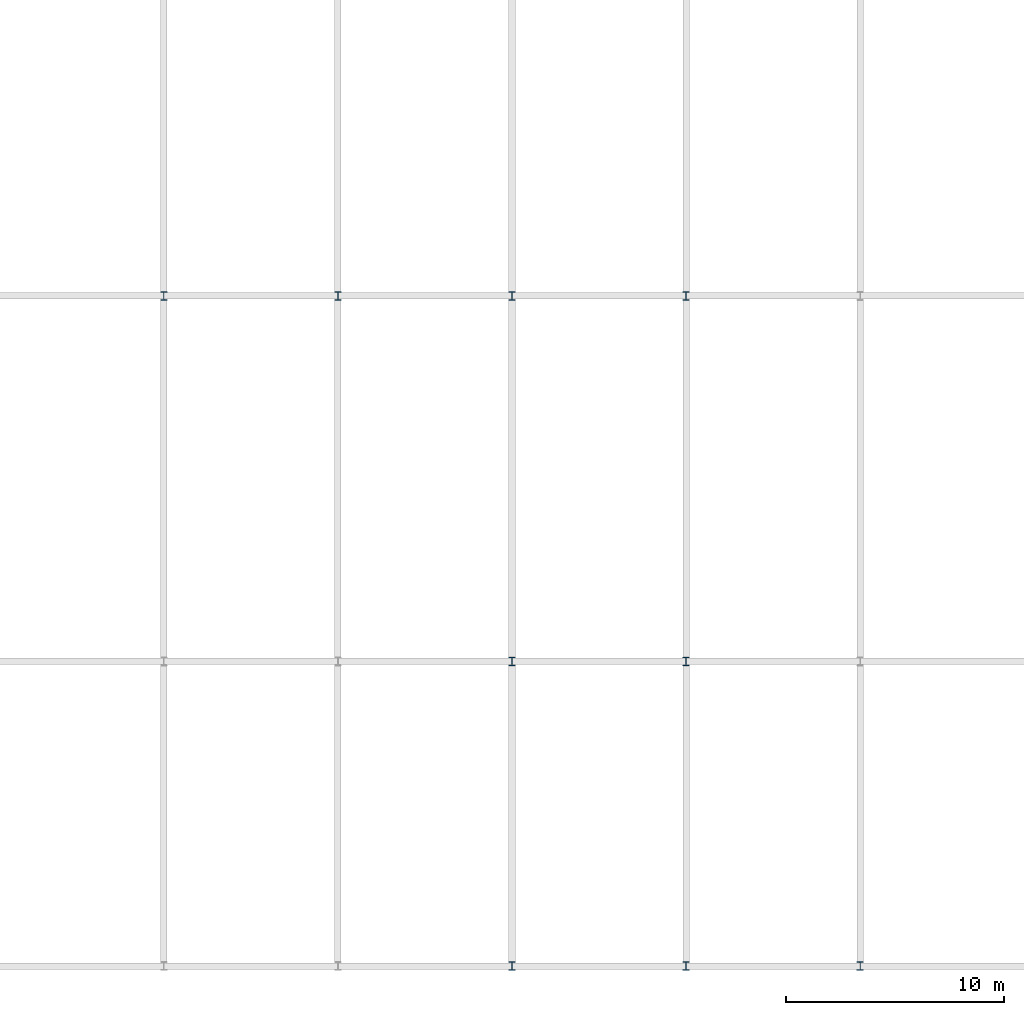
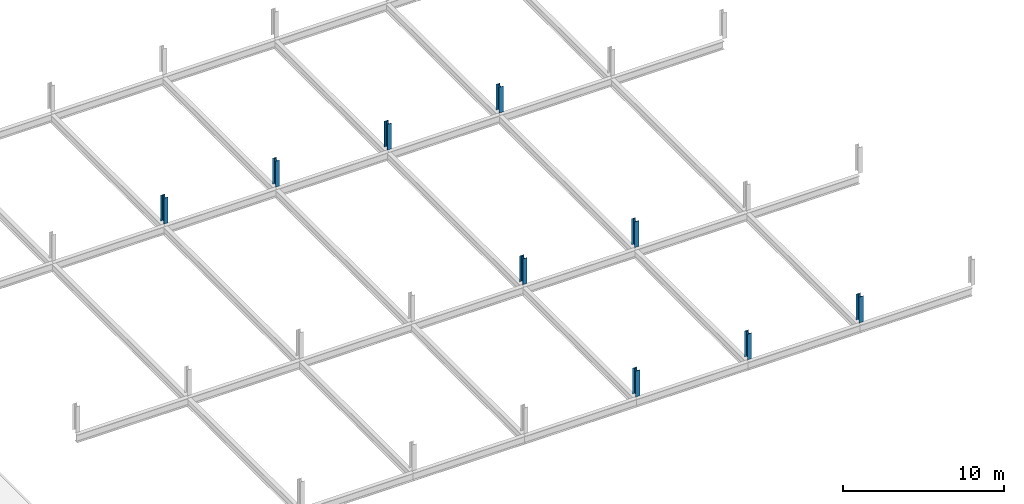
# One storey, part 2 of 25: 9 columns.
"""IFC4 building model written with IfcOpenShell, lengths in metres."""

from ifc_helpers import new_model, si_unit, direction, frame, origin, origin_2d, place, context, subcontext, project, spatial, i_section, extrude, material, material_profile, profile_set, type_object, element, save


model = new_model("IFC4")

# Units and contexts
model_context = context("Model", 3, precision=1e-05, world=origin(), true_north=direction((0.0, 1.0)))
body_context = subcontext(model_context, "Body", "Model", "MODEL_VIEW")
ifc_project = project(units=[si_unit("LENGTHUNIT", "METRE"), si_unit("AREAUNIT", "SQUARE_METRE"), si_unit("VOLUMEUNIT", "CUBIC_METRE"), si_unit("PLANEANGLEUNIT", "RADIAN"), si_unit("MASSUNIT", "GRAM", prefix="KILO")], contexts=[model_context])

# Site, building, storey
site_placement = place(None, origin())
site = spatial("IfcSite", under=ifc_project, at=site_placement, CompositionType="ELEMENT")
building_placement = place(site_placement, origin())
building = spatial("IfcBuilding", under=site, at=building_placement, Name="Vekula Escarpment Museum", CompositionType="ELEMENT")
storey_placement = place(building_placement, frame((0.0, 0.0, 26.39990234375)))
storey = spatial("IfcBuildingStorey", under=building, at=storey_placement, Name="L06", CompositionType="ELEMENT", Elevation=26.39990234375)

# Columns
ifc_material = material(Name="Steel S355", Category="steel")
ifc_material_profile = material_profile(ifc_material, i_section(OverallWidth=0.300048828125, OverallDepth=0.39990234375, WebThickness=0.013427734375, FlangeThickness=0.02392578125, FilletRadius=0.027099609375, at=origin_2d()), Name="HEB 400")
ifc_profile_set = profile_set([ifc_material_profile], Name="Steel S355")
column_type = type_object("IfcColumnType", Name="COL-S-HEB400", PredefinedType="COLUMN", material=ifc_profile_set)
for number, where, z_axis, x_axis, name in (
    (1, (86.0, 76.39990234375, 0.0), (0.0, 0.0, 1.0), (1.0, 0.0, 0.0), "Great Hall Roof Column L06 (86.0,76.4)"),
    (2, (94.0, 76.39990234375, 0.0), (0.0, 0.0, 1.0), (1.0, 0.0, 0.0), "Great Hall Roof Column L06 (94.0,76.4)"),
    (3, (102.0, 45.60009765625, 0.0), (0.0, 0.0, 1.0), (1.0, 0.0, 0.0), "Great Hall Roof Column L06 (102.0,45.6)"),
    (4, (102.0, 59.60009765625, 0.0), (0.0, 0.0, 1.0), (1.0, 0.0, 0.0), "Great Hall Roof Column L06 (102.0,59.6)"),
    (5, (102.0, 76.39990234375, 0.0), (0.0, 0.0, 1.0), (1.0, 0.0, 0.0), "Great Hall Roof Column L06 (102.0,76.4)"),
    (6, (110.0, 45.60009765625, 0.0), (0.0, 0.0, 1.0), (1.0, 0.0, 0.0), "Great Hall Roof Column L06 (110.0,45.6)"),
    (7, (110.0, 59.60009765625, 0.0), (0.0, 0.0, 1.0), (1.0, 0.0, 0.0), "Great Hall Roof Column L06 (110.0,59.6)"),
    (8, (110.0, 76.39990234375, 0.0), (0.0, 0.0, 1.0), (1.0, 0.0, 0.0), "Great Hall Roof Column L06 (110.0,76.4)"),
    (9, (118.0, 45.60009765625, 0.0), (0.0, 0.0, 1.0), (1.0, 0.0, 0.0), "Great Hall Roof Column L06 (118.0,45.6)"),
):
    element("IfcColumn", number, at=place(storey_placement, frame(where, z_axis=z_axis, x_axis=x_axis)), inside=storey, type_object=column_type, Name=name, PredefinedType="COLUMN", context=body_context, shape_type="SweptSolid", body=[
        extrude(i_section(OverallWidth=0.300048828125, OverallDepth=0.39990234375, WebThickness=0.013427734375, FlangeThickness=0.02392578125, FilletRadius=0.027099609375, at=origin_2d()), origin(), (0.0, 0.0, 1.0), 1.9501953125),
    ])

save(model, "model.ifc")
